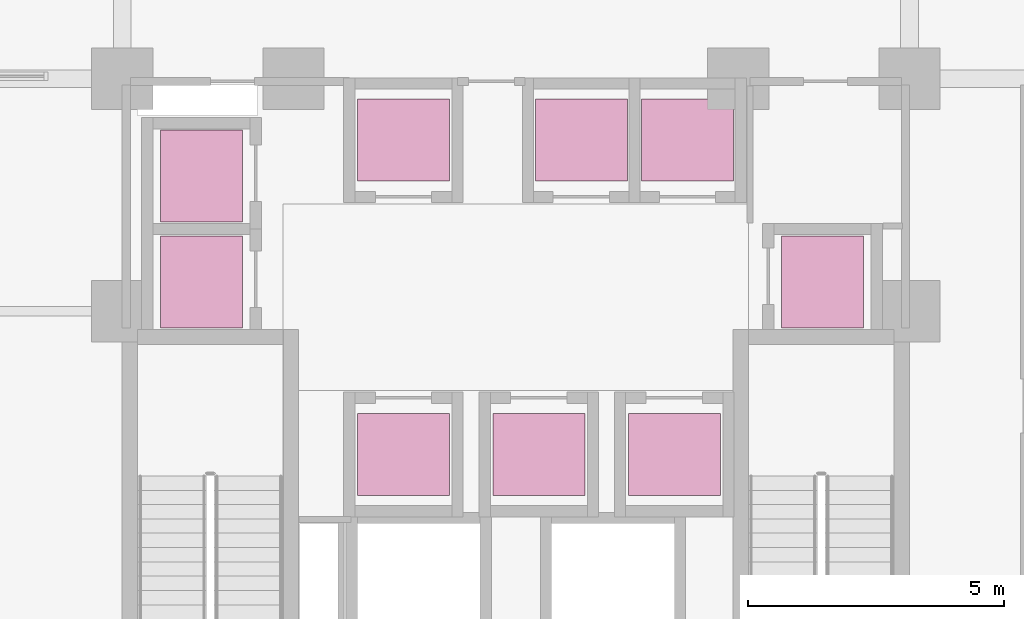
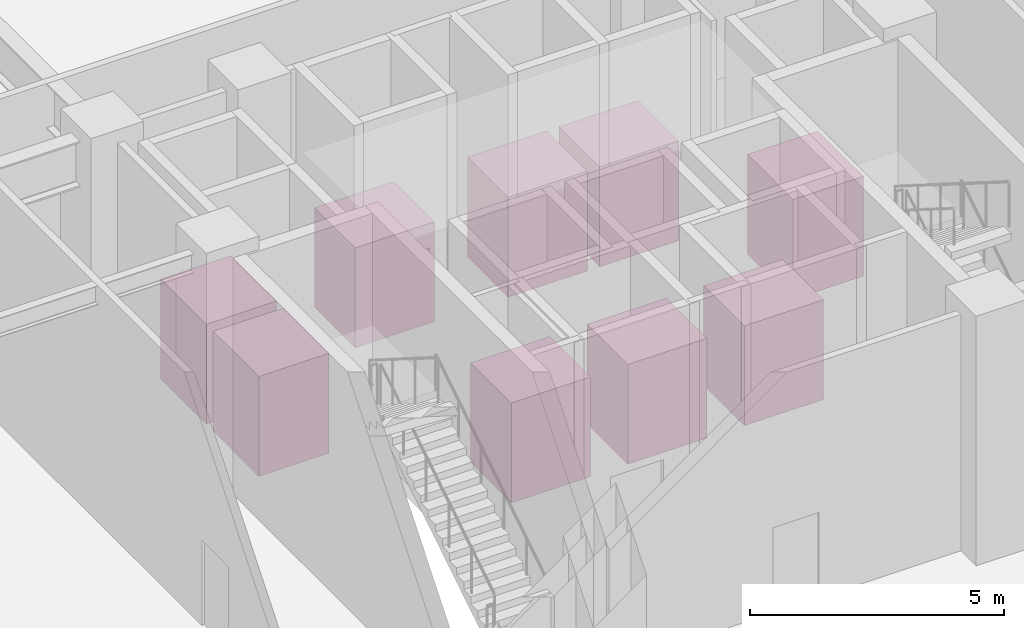
# One storey, part 24 of 24: 9 transport elements.
"""IFC4 building model written with IfcOpenShell, lengths in metres."""

from ifc_helpers import new_model, si_unit, derived_unit, direction, frame, origin, origin_2d, place, context, subcontext, project, spatial, rectangle, extrude, material, type_object, element, save


model = new_model("IFC4")

# Units and contexts
model_context = context("Model", 3, precision=1e-05, world=origin(), true_north=direction((0.0, 1.0)))
body_context = subcontext(model_context, "Body", "Model", "MODEL_VIEW")
ifc_project = project(units=[si_unit("LENGTHUNIT", "METRE"), si_unit("AREAUNIT", "SQUARE_METRE"), si_unit("VOLUMEUNIT", "CUBIC_METRE"), si_unit("PLANEANGLEUNIT", "RADIAN"), si_unit("MASSUNIT", "GRAM", prefix="KILO"), derived_unit("THERMALTRANSMITTANCEUNIT", [(si_unit("MASSUNIT", "GRAM", prefix="KILO"), 1), (si_unit("TIMEUNIT", "SECOND"), -3), (si_unit("THERMODYNAMICTEMPERATUREUNIT", "KELVIN"), -1)])], contexts=[model_context])

# Site, building, storey
site_placement = place(None, origin())
site = spatial("IfcSite", under=ifc_project, at=site_placement, CompositionType="ELEMENT")
building_placement = place(site_placement, origin())
building = spatial("IfcBuilding", under=site, at=building_placement, Name="Korrvale Station Residences", CompositionType="ELEMENT")
storey_placement = place(building_placement, origin())
storey = spatial("IfcBuildingStorey", under=building, at=storey_placement, Name="L00", CompositionType="ELEMENT", Elevation=0.0)

# Transport elements
ifc_material = material(Name="Brushed stainless-steel gearless traction elevator cab", Category="steel")
transport_element_type = type_object("IfcTransportElementType", Name="LFT-PASS-1600", PredefinedType="ELEVATOR", material=ifc_material)
for number, where, z_axis, x_axis, name in (
    (1, (23.300048828125, 27.800048828125, 0.0), (0.0, 0.0, 1.0), (1.0, 0.0, 0.0), "Elevator PL-1"),
    (2, (26.780029296875, 27.800048828125, 0.0), (0.0, 0.0, 1.0), (1.0, 0.0, 0.0), "Elevator PL-2"),
    (3, (28.860107421875, 27.800048828125, 0.0), (0.0, 0.0, 1.0), (1.0, 0.0, 0.0), "Elevator PL-3"),
    (4, (23.300048828125, 21.64990234375, 0.0), (0.0, 0.0, 1.0), (1.0, 0.0, 0.0), "Elevator PM-1"),
    (5, (25.949951171875, 21.64990234375, 0.0), (0.0, 0.0, 1.0), (1.0, 0.0, 0.0), "Elevator PM-2"),
    (6, (28.60009765625, 21.64990234375, 0.0), (0.0, 0.0, 1.0), (1.0, 0.0, 0.0), "Elevator PM-3"),
    (7, (19.35009765625, 25.02490234375, 0.0), (0.0, 0.0, 1.0), (0.0, 1.0, 0.0), "Elevator PH-1"),
    (8, (19.35009765625, 27.094970703125, 0.0), (0.0, 0.0, 1.0), (0.0, 1.0, 0.0), "Elevator PH-2"),
    (9, (31.5, 25.02490234375, 0.0), (0.0, 0.0, 1.0), (0.0, 1.0, 0.0), "Elevator PH-3"),
):
    element("IfcTransportElement", number, at=place(storey_placement, frame(where, z_axis=z_axis, x_axis=x_axis)), inside=storey, type_object=transport_element_type, Name=name, PredefinedType="ELEVATOR", context=body_context, shape_type="SweptSolid", body=[
        extrude(rectangle(XDim=1.800048828125, YDim=1.60009765625, at=origin_2d()), origin(), (0.0, 0.0, 1.0), 2.39990234375),
    ])

save(model, "model.ifc")
